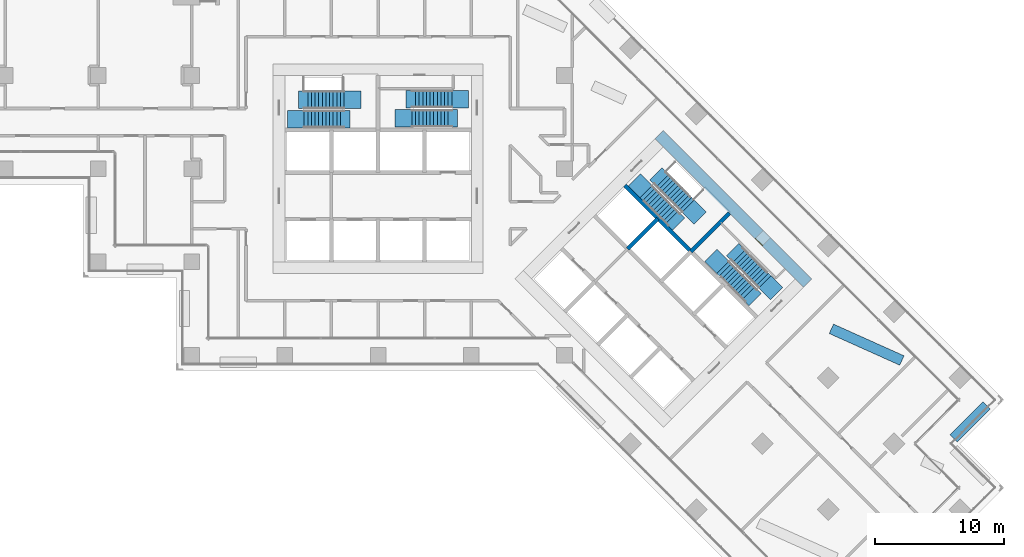
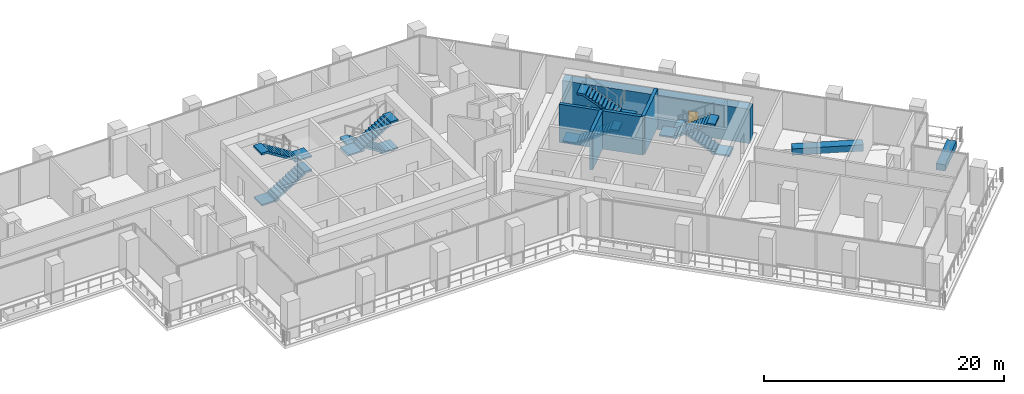
# One storey, part 15 of 24: 8 stair flights, 6 walls, 1 door, 1 opening, 4 elements without a shape of their own.
"""IFC4 building model written with IfcOpenShell, lengths in metres."""

import ifcopenshell
import ifcopenshell.guid

model = None  # the IFC model being written
_history = None  # IfcOwnerHistory: only IFC2X3 demands one
_inside = {}  # id of a spatial element -> (the spatial element, [elements in it])
_under = {}  # id of a project, library or spatial element -> (it, [spatial elements below it])
_declared = {}  # id of a project -> (the project, [libraries it declares])
_typed = {}  # id of a type object -> (the type object, [elements of that type])
_made_of = {}  # id of a material, layer set ... -> (it, [elements and type objects made of it])


def new_model(schema):
    """Start an empty IFC model of exactly this schema.

    Asked for "IFC4X3", IfcOpenShell would pick the latest addendum, in which some entities
    have other attributes; the version numbers below select the first issue.
    IFC2X3 requires an IfcOwnerHistory on every rooted entity: one is made here for all.
    """
    global model, _history
    if schema == "IFC4X3":
        model = ifcopenshell.file(schema_version=(4, 3, 0, 0))
    else:
        model = ifcopenshell.file(schema=schema)
    _inside.clear()
    _under.clear()
    _declared.clear()
    _typed.clear()
    _made_of.clear()
    _history = None
    if model.schema == "IFC2X3":
        org = make("IfcOrganization", Name="unknown")
        user = make(
            "IfcPersonAndOrganization",
            ThePerson=make("IfcPerson", FamilyName="unknown"),
            TheOrganization=org,
        )
        app = make(
            "IfcApplication",
            ApplicationDeveloper=org,
            Version="unknown",
            ApplicationFullName="unknown",
            ApplicationIdentifier="unknown",
        )
        _history = make(
            "IfcOwnerHistory",
            OwningUser=user,
            OwningApplication=app,
            ChangeAction="ADDED",
            CreationDate=0,
        )
    return model


def make(cls, **values):
    """One entity of the class cls with the attributes given. An attribute that is None is left unset."""
    return model.create_entity(
        cls, **{name: value for name, value in values.items() if value is not None}
    )


def rooted(cls, **values):
    """An entity with a GlobalId (a new one), such as an element, a storey or a relation."""
    return make(cls, GlobalId=ifcopenshell.guid.new(), OwnerHistory=_history, **values)


def si_unit(unit_type, name, prefix=None):
    """IfcSIUnit, for example si_unit("LENGTHUNIT", "METRE", prefix="MILLI")."""
    return make("IfcSIUnit", UnitType=unit_type, Prefix=prefix, Name=name)


def assignment(units):
    """IfcUnitAssignment: the units of a project."""
    return None if units is None else make("IfcUnitAssignment", Units=units)


def point(xyz):
    """IfcCartesianPoint."""
    return None if xyz is None else make("IfcCartesianPoint", Coordinates=xyz)


def direction(xyz):
    """IfcDirection."""
    return None if xyz is None else make("IfcDirection", DirectionRatios=xyz)


def frame(location, z_axis=None, x_axis=None):
    """IfcAxis2Placement3D, a coordinate frame: its origin and axes. An axis left out is left unset."""
    return make(
        "IfcAxis2Placement3D",
        Location=point(location),
        Axis=direction(z_axis),
        RefDirection=direction(x_axis),
    )


def frame_2d(location, x_axis=None):
    """IfcAxis2Placement2D, a coordinate frame in the plane: its origin and x axis."""
    return make(
        "IfcAxis2Placement2D", Location=point(location), RefDirection=direction(x_axis)
    )


def origin():
    """The frame at (0, 0, 0) with its axes left unset."""
    return frame((0.0, 0.0, 0.0))


def place(relative_to, where):
    """IfcLocalPlacement: puts the frame where relative to a parent placement (None: the world)."""
    return make(
        "IfcLocalPlacement", PlacementRelTo=relative_to, RelativePlacement=where
    )


def context(
    kind, dimensions, precision=None, world=None, true_north=None, identifier=None
):
    """IfcGeometricRepresentationContext, for example the 3D "Model" context."""
    return make(
        "IfcGeometricRepresentationContext",
        ContextIdentifier=identifier,
        ContextType=kind,
        CoordinateSpaceDimension=dimensions,
        Precision=precision,
        WorldCoordinateSystem=world,
        TrueNorth=true_north,
    )


def subcontext(parent, identifier, kind, view, scale=None):
    """IfcGeometricRepresentationSubContext, for example "Body" below "Model"."""
    return make(
        "IfcGeometricRepresentationSubContext",
        ContextIdentifier=identifier,
        ContextType=kind,
        ParentContext=parent,
        TargetScale=scale,
        TargetView=view,
    )


def project(units=None, contexts=None):
    """IfcProject with its units and contexts."""
    return rooted(
        "IfcProject",
        Name="project",
        RepresentationContexts=contexts,
        UnitsInContext=assignment(units),
    )


def spatial(cls, under=None, at=None, **own):
    """A site, building, storey or space (cls), placed at a placement, below another one or the project."""
    s = rooted(cls, ObjectPlacement=at, **own)
    if under is not None:
        _under.setdefault(under.id(), (under, []))[1].append(s)
    return s


def polyline(points):
    """IfcPolyline through the points."""
    return make("IfcPolyline", Points=[point(p) for p in points])


def profile(cls, at=None, kind="AREA", **sizes):
    """A parametric profile (cls). Its sizes go by their IFC names, for example OverallWidth=200.0."""
    return make(cls, ProfileType=kind, Position=at, **sizes)


def rectangle(**sizes):
    """IfcRectangleProfileDef."""
    return profile("IfcRectangleProfileDef", **sizes)


def outline(outer, holes=None, kind="AREA"):
    """IfcArbitraryClosedProfileDef: a profile drawn as a closed curve; with holes, ...WithVoids."""
    if holes is None:
        return make("IfcArbitraryClosedProfileDef", ProfileType=kind, OuterCurve=outer)
    return make(
        "IfcArbitraryProfileDefWithVoids",
        ProfileType=kind,
        OuterCurve=outer,
        InnerCurves=holes,
    )


def extrude(swept, where, along, depth):
    """IfcExtrudedAreaSolid: the profile swept, set in the frame where, extruded along a direction by depth."""
    return make(
        "IfcExtrudedAreaSolid",
        SweptArea=swept,
        Position=where,
        ExtrudedDirection=direction(along),
        Depth=depth,
    )


def shape(context_of_items, identifier, shape_type, items):
    """IfcShapeRepresentation: the items that make up one representation, for example the "Body"."""
    return make(
        "IfcShapeRepresentation",
        ContextOfItems=context_of_items,
        RepresentationIdentifier=identifier,
        RepresentationType=shape_type,
        Items=items,
    )


def material(Name=None, Category=None):
    """IfcMaterial."""
    return make("IfcMaterial", Name=Name, Category=Category)


def layer(
    of_material, thickness, ventilated=None, Name=None, Category=None, Priority=None
):
    """IfcMaterialLayer: one layer of a wall or slab, of a material (None: an air gap)."""
    return make(
        "IfcMaterialLayer",
        Material=of_material,
        LayerThickness=thickness,
        IsVentilated=ventilated,
        Name=Name,
        Category=Category,
        Priority=Priority,
    )


def layer_set(layers, Name=None):
    """IfcMaterialLayerSet."""
    return make("IfcMaterialLayerSet", MaterialLayers=layers, LayerSetName=Name)


def made_of(thing, what):
    """Note that an element or type object is made of a material, layer set ...; save() writes the relation."""
    if what is not None:
        _made_of.setdefault(what.id(), (what, []))[1].append(thing)
    return thing


def type_object(cls, material=None, **own):
    """A type object (cls), such as IfcWallType, which elements share."""
    return made_of(rooted(cls, **own), material)


def element(
    cls,
    number,
    at=None,
    inside=None,
    cuts=None,
    type_object=None,
    material=None,
    context=None,
    identifier="Body",
    shape_type=None,
    held_by="IfcProductDefinitionShape",
    body=None,
    shapes=None,
    **own,
):
    """One element of the class cls, such as IfcWall. Its Tag is "e" and its number.

    at: its placement. inside: the storey or other place that contains it. cuts: it is an
    opening in that element (IfcRelVoidsElement). A single representation is given by context,
    identifier, shape_type and body (its items); several are given by shapes. held_by: the class
    of the entity that holds the representations. save() writes the other relations.
    """
    e = rooted(cls, Tag="e%d" % number, ObjectPlacement=at, **own)
    if body is not None:
        shapes = [shape(context, identifier, shape_type, body)]
    if shapes is not None:
        e.Representation = make(held_by, Representations=shapes)
    if inside is not None:
        _inside.setdefault(inside.id(), (inside, []))[1].append(e)
    if cuts is not None:
        rooted(
            "IfcRelVoidsElement", RelatingBuildingElement=cuts, RelatedOpeningElement=e
        )
    if type_object is not None:
        _typed.setdefault(type_object.id(), (type_object, []))[1].append(e)
    return made_of(e, material)


def fill(opening, filler):
    """IfcRelFillsElement: the door or window that sits in an opening."""
    return rooted(
        "IfcRelFillsElement",
        RelatingOpeningElement=opening,
        RelatedBuildingElement=filler,
    )


def aggregate(whole, parts):
    """IfcRelAggregates: a whole, such as a stair, and the parts it consists of."""
    return rooted("IfcRelAggregates", RelatingObject=whole, RelatedObjects=parts)


def save(model, path):
    """Write the relations noted so far, then the file.

    IfcRelAggregates (storeys below a building ...), IfcRelContainedInSpatialStructure (elements
    in a storey), IfcRelDefinesByType, IfcRelAssociatesMaterial and IfcRelDeclares: one each for
    every whole, place, type object, material and project.
    """
    for whole, parts in _under.values():
        aggregate(whole, parts)
    for where, things in _inside.values():
        rooted(
            "IfcRelContainedInSpatialStructure",
            RelatedElements=things,
            RelatingStructure=where,
        )
    for kind, things in _typed.values():
        rooted("IfcRelDefinesByType", RelatedObjects=things, RelatingType=kind)
    for what, things in _made_of.values():
        rooted("IfcRelAssociatesMaterial", RelatedObjects=things, RelatingMaterial=what)
    for by, libraries in _declared.values():
        rooted("IfcRelDeclares", RelatingContext=by, RelatedDefinitions=libraries)
    model.write(path)


model = new_model("IFC4")

# Units and contexts
model_context = context("Model", 3, precision=1e-05, world=origin(), true_north=direction((0.0, 1.0)))
body_context = subcontext(model_context, "Body", "Model", "MODEL_VIEW")
ifc_project = project(units=[si_unit("LENGTHUNIT", "METRE"), si_unit("AREAUNIT", "SQUARE_METRE"), si_unit("VOLUMEUNIT", "CUBIC_METRE"), si_unit("PLANEANGLEUNIT", "RADIAN"), si_unit("MASSUNIT", "GRAM", prefix="KILO")], contexts=[model_context])

# Site, building, storey
site_placement = place(None, origin())
site = spatial("IfcSite", under=ifc_project, at=site_placement, CompositionType="ELEMENT")
building_placement = place(site_placement, origin())
building = spatial("IfcBuilding", under=site, at=building_placement, Name="Windrow Commons", CompositionType="ELEMENT")
storey_placement = place(building_placement, frame((0.0, 0.0, 77.0)))
storey = spatial("IfcBuildingStorey", under=building, at=storey_placement, Name="L20", CompositionType="ELEMENT", Elevation=77.0)

# Walls
ifc_material_1 = material(Name="Concrete C30/37 planter wall", Category="concrete")
ifc_layer_1 = layer(ifc_material_1, 0.8)
ifc_layer_set_1 = layer_set([ifc_layer_1], Name="Planter 800x600")
wall_type_1 = type_object("IfcWallType", Name="Planter 800x600", PredefinedType="SOLIDWALL", material=ifc_layer_set_1)
wall_1_placement = place(storey_placement, frame((109.2521, 36.7861, 0.0), z_axis=(0.0, 0.0, 1.0), x_axis=(0.7071067812, 0.7071067812, 0.0)))
element("IfcWall", 1, at=wall_1_placement, inside=storey, type_object=wall_type_1, Name="PLANTER TR-L20-1.3", PredefinedType="SOLIDWALL", context=body_context, shape_type="SweptSolid", body=[
    extrude(rectangle(XDim=3.5999, YDim=0.8, at=frame_2d((1.7999, 0.0))), origin(), (0.0, 0.0, 1.0), 0.65),
])
wall_2_placement = place(storey_placement, frame((105.2553, 42.7895, 0.0), z_axis=(0.0, 0.0, 1.0), x_axis=(-0.9122959724, 0.4095315113, 0.0)))
element("IfcWall", 2, at=wall_2_placement, inside=storey, type_object=wall_type_1, Name="PLANTER TR-L20-1 bed 6", PredefinedType="SOLIDWALL", context=body_context, shape_type="SweptSolid", body=[
    extrude(rectangle(XDim=5.97, YDim=0.8, at=frame_2d((2.985, 0.0))), origin(), (0.0, 0.0, 1.0), 0.65),
])

# Wall, opening, door
ifc_material_2 = material(Name="Concrete C60/75", Category="concrete")
ifc_layer_2 = layer(ifc_material_2, 0.9)
ifc_layer_set_2 = layer_set([ifc_layer_2], Name="RC CORE WALL 900 C60/75")
wall_type_2 = type_object("IfcWallType", Name="RC CORE WALL 900 C60/75", PredefinedType="SHEAR", material=ifc_layer_set_2)
wall_3_placement = place(storey_placement, frame((86.5186, 60.2267, -0.3), z_axis=(0.0, 0.0, 1.0), x_axis=(0.7071036948, -0.7071098676, 0.0)))
wall_3 = element("IfcWall", 3, at=wall_3_placement, inside=storey, type_object=wall_type_2, Name="Core B wall outer-N", PredefinedType="SHEAR", context=body_context, shape_type="SweptSolid", body=[
    extrude(rectangle(XDim=16.2, YDim=0.9, at=frame_2d((8.1, 0.0))), origin(), (0.0, 0.0, 1.0), 3.5),
])
opening_placement = place(wall_3_placement, frame((10.9, 0.0, 0.3)))
opening = element("IfcOpeningElement", 4, at=opening_placement, cuts=wall_3, Name="Opening D9", PredefinedType="OPENING", context=body_context, shape_type="SweptSolid", body=[
    extrude(rectangle(XDim=0.8, YDim=2.1, at=frame_2d((0.4, 1.05))), frame((0.0, 0.46, 0.0), z_axis=(0.0, -1.0, 0.0), x_axis=(1.0, 0.0, 0.0)), (0.0, 0.0, 1.0), 0.92),
])
ifc_material_3 = material(Name="Steel fire door leaf", Category="steel")
door_type = type_object("IfcDoorType", Name="Riser access door 800", OperationType="SINGLE_SWING_LEFT", PredefinedType="DOOR", material=ifc_material_3)
door_placement = place(opening_placement, origin())
door = element("IfcDoor", 5, at=door_placement, inside=storey, type_object=door_type, Name="Riser access door", OperationType="SINGLE_SWING_RIGHT", OverallHeight=2.1, OverallWidth=0.8, PredefinedType="DOOR", context=body_context, shape_type="SweptSolid", body=[
    extrude(rectangle(XDim=0.8, YDim=2.1, at=frame_2d((0.4, 1.05))), frame((0.0, -0.39, 0.0), z_axis=(0.0, -1.0, 0.0), x_axis=(1.0, 0.0, 0.0)), (0.0, 0.0, 1.0), 0.05),
])
fill(opening, door)

# Walls
ifc_material_4 = material(Name="Concrete C60/75", Category="concrete")
ifc_layer_3 = layer(ifc_material_4, 0.3)
ifc_layer_set_3 = layer_set([ifc_layer_3], Name="RC SHAFT WALL 300 C60/75")
wall_type_3 = type_object("IfcWallType", Name="RC SHAFT WALL 300 C60/75", PredefinedType="SOLIDWALL", material=ifc_layer_set_3)
wall_4_placement = place(storey_placement, frame((84.079, 51.4232, 0.0), z_axis=(0.0, 0.0, 1.0), x_axis=(0.7071219326, 0.7070916295, 0.0)))
element("IfcWall", 6, at=wall_4_placement, inside=storey, type_object=wall_type_3, Name="Core B wall shaft-N1", PredefinedType="SOLIDWALL", context=body_context, shape_type="SweptSolid", body=[
    extrude(rectangle(XDim=3.3, YDim=0.3, at=frame_2d((1.65, 0.0))), origin(), (0.0, 0.0, 1.0), 3.9),
])
wall_5_placement = place(storey_placement, frame((83.8669, 56.3022, 0.0), z_axis=(0.0, 0.0, 1.0), x_axis=(0.7071137256, -0.7070998367, 0.0)))
element("IfcWall", 7, at=wall_5_placement, inside=storey, type_object=wall_type_3, Name="Core B wall stair-S", PredefinedType="SOLIDWALL", context=body_context, shape_type="SweptSolid", body=[
    extrude(rectangle(XDim=7.2, YDim=0.3, at=frame_2d((3.6, 0.0))), origin(), (0.0, 0.0, 1.0), 3.9),
])
wall_6_placement = place(storey_placement, frame((88.9581, 51.2111, 0.0), z_axis=(0.0, 0.0, 1.0), x_axis=(0.7071067812, 0.7071067812, 0.0)))
element("IfcWall", 8, at=wall_6_placement, inside=storey, type_object=wall_type_3, Name="Core B wall stair-mid", PredefinedType="SOLIDWALL", context=body_context, shape_type="SweptSolid", body=[
    extrude(rectangle(XDim=4.1999, YDim=0.3, at=frame_2d((2.1, 0.0))), origin(), (0.0, 0.0, 1.0), 3.9),
])

# Stair, stair flights
ifc_material_5 = material(Name="Concrete C40/50", Category="concrete")
stair_type = type_object("IfcStairType", Name="Core stair", PredefinedType="HALF_TURN_STAIR", material=ifc_material_5)
placement = place(storey_placement, origin())
stair_1 = element("IfcStair", 9, at=placement, inside=storey, type_object=stair_type, Name="L20 Exit stair A1 core A", PredefinedType="HALF_TURN_STAIR")
ifc_material_6 = material(Name="Concrete C40/50", Category="concrete")
stair_flight_type = type_object("IfcStairFlightType", Name="Core stair flight", PredefinedType="STRAIGHT", material=ifc_material_6)
stair_flight_1_placement = place(storey_placement, frame((59.1, 61.425, 0.0), z_axis=(0.0, 0.0, 1.0), x_axis=(1.0, 0.0, 0.0)))
stair_flight_1 = element("IfcStairFlight", 10, at=stair_flight_1_placement, type_object=stair_flight_type, Name="ST-A1 flight 1", NumberOfRisers=12, NumberOfTreads=11, PredefinedType="STRAIGHT", RiserHeight=0.175, TreadLength=0.28, context=body_context, shape_type="SweptSolid", body=[
    extrude(outline(polyline([(-1.3, -0.15), (-1.3, 0.0), (0.0, 0.0), (0.0, 0.175), (0.28, 0.175), (0.28, 0.35), (0.56, 0.35), (0.56, 0.525), (0.84, 0.525), (0.84, 0.7), (1.12, 0.7), (1.12, 0.875), (1.4, 0.875), (1.4, 1.05), (1.68, 1.05), (1.68, 1.225), (1.96, 1.225), (1.96, 1.4), (2.24, 1.4), (2.24, 1.575), (2.52, 1.575), (2.52, 1.75), (2.8, 1.75), (2.8, 1.925), (3.08, 1.925), (3.53, 1.925), (3.53, 1.725), (3.08, 1.725), (3.08, 1.7481), (0.283, 0.0), (0.283, -0.15), (-1.3, -0.15)])), frame((0.0, 0.675, 0.0), z_axis=(0.0, -1.0, 0.0), x_axis=(1.0, 0.0, 0.0)), (0.0, 0.0, 1.0), 1.35),
])
stair_flight_2_placement = place(storey_placement, frame((62.18, 62.925, 2.1), z_axis=(0.0, 0.0, 1.0), x_axis=(-1.0, 0.0, 0.0)))
stair_flight_2 = element("IfcStairFlight", 11, at=stair_flight_2_placement, type_object=stair_flight_type, Name="ST-A1 flight 2", NumberOfRisers=12, NumberOfTreads=11, PredefinedType="STRAIGHT", RiserHeight=0.175, TreadLength=0.28, context=body_context, shape_type="SweptSolid", body=[
    extrude(outline(polyline([(-1.3, -0.15), (-1.3, 0.0), (0.0, 0.0), (0.0, 0.175), (0.28, 0.175), (0.28, 0.35), (0.56, 0.35), (0.56, 0.525), (0.84, 0.525), (0.84, 0.7), (1.12, 0.7), (1.12, 0.875), (1.4, 0.875), (1.4, 1.05), (1.68, 1.05), (1.68, 1.225), (1.96, 1.225), (1.96, 1.4), (2.24, 1.4), (2.24, 1.575), (2.52, 1.575), (2.52, 1.75), (2.8, 1.75), (2.8, 1.925), (3.08, 1.925), (3.53, 1.925), (3.53, 1.725), (3.08, 1.725), (3.08, 1.7481), (0.283, 0.0), (0.283, -0.15), (-1.3, -0.15)])), frame((0.0, 0.675, 0.0), z_axis=(0.0, -1.0, 0.0), x_axis=(1.0, 0.0, 0.0)), (0.0, 0.0, 1.0), 1.35),
])
aggregate(stair_1, [stair_flight_1, stair_flight_2])

stair_2 = element("IfcStair", 12, at=placement, inside=storey, type_object=stair_type, Name="L20 Exit stair A2 core A", PredefinedType="HALF_TURN_STAIR")
stair_flight_3_placement = place(storey_placement, frame((70.5, 62.98, 0.0), z_axis=(0.0, 0.0, 1.0), x_axis=(-1.0, 0.0, 0.0)))
stair_flight_3 = element("IfcStairFlight", 13, at=stair_flight_3_placement, type_object=stair_flight_type, Name="ST-A2 flight 1", NumberOfRisers=12, NumberOfTreads=11, PredefinedType="STRAIGHT", RiserHeight=0.175, TreadLength=0.28, context=body_context, shape_type="SweptSolid", body=[
    extrude(outline(polyline([(-1.3, -0.15), (-1.3, 0.0), (0.0, 0.0), (0.0, 0.175), (0.28, 0.175), (0.28, 0.35), (0.56, 0.35), (0.56, 0.525), (0.84, 0.525), (0.84, 0.7), (1.12, 0.7), (1.12, 0.875), (1.4, 0.875), (1.4, 1.05), (1.68, 1.05), (1.68, 1.225), (1.96, 1.225), (1.96, 1.4), (2.24, 1.4), (2.24, 1.575), (2.52, 1.575), (2.52, 1.75), (2.8, 1.75), (2.8, 1.925), (3.08, 1.925), (3.53, 1.925), (3.53, 1.725), (3.08, 1.725), (3.08, 1.7481), (0.283, 0.0), (0.283, -0.15), (-1.3, -0.15)])), frame((0.0, 0.675, 0.0), z_axis=(0.0, -1.0, 0.0), x_axis=(1.0, 0.0, 0.0)), (0.0, 0.0, 1.0), 1.35),
])
stair_flight_4_placement = place(storey_placement, frame((67.42, 61.48, 2.1), z_axis=(0.0, 0.0, 1.0), x_axis=(1.0, 0.0, 0.0)))
stair_flight_4 = element("IfcStairFlight", 14, at=stair_flight_4_placement, type_object=stair_flight_type, Name="ST-A2 flight 2", NumberOfRisers=12, NumberOfTreads=11, PredefinedType="STRAIGHT", RiserHeight=0.175, TreadLength=0.28, context=body_context, shape_type="SweptSolid", body=[
    extrude(outline(polyline([(-1.3, -0.15), (-1.3, 0.0), (0.0, 0.0), (0.0, 0.175), (0.28, 0.175), (0.28, 0.35), (0.56, 0.35), (0.56, 0.525), (0.84, 0.525), (0.84, 0.7), (1.12, 0.7), (1.12, 0.875), (1.4, 0.875), (1.4, 1.05), (1.68, 1.05), (1.68, 1.225), (1.96, 1.225), (1.96, 1.4), (2.24, 1.4), (2.24, 1.575), (2.52, 1.575), (2.52, 1.75), (2.8, 1.75), (2.8, 1.925), (3.08, 1.925), (3.53, 1.925), (3.53, 1.725), (3.08, 1.725), (3.08, 1.7481), (0.283, 0.0), (0.283, -0.15), (-1.3, -0.15)])), frame((0.0, 0.675, 0.0), z_axis=(0.0, -1.0, 0.0), x_axis=(1.0, 0.0, 0.0)), (0.0, 0.0, 1.0), 1.35),
])
aggregate(stair_2, [stair_flight_3, stair_flight_4])

stair_3 = element("IfcStair", 15, at=placement, inside=storey, type_object=stair_type, Name="L20 Exit stair B1 core B", PredefinedType="HALF_TURN_STAIR")
stair_flight_5_placement = place(storey_placement, frame((85.5109, 55.8249, 0.0), z_axis=(0.0, 0.0, 1.0), x_axis=(0.7071067812, -0.7071067812, 0.0)))
stair_flight_5 = element("IfcStairFlight", 16, at=stair_flight_5_placement, type_object=stair_flight_type, Name="ST-B1 flight 1", NumberOfRisers=12, NumberOfTreads=11, PredefinedType="STRAIGHT", RiserHeight=0.175, TreadLength=0.28, context=body_context, shape_type="SweptSolid", body=[
    extrude(outline(polyline([(-1.3, -0.15), (-1.3, 0.0), (0.0, 0.0), (0.0, 0.175), (0.28, 0.175), (0.28, 0.35), (0.56, 0.35), (0.56, 0.525), (0.84, 0.525), (0.84, 0.7), (1.12, 0.7), (1.12, 0.875), (1.4, 0.875), (1.4, 1.05), (1.68, 1.05), (1.68, 1.225), (1.96, 1.225), (1.96, 1.4), (2.24, 1.4), (2.24, 1.575), (2.52, 1.575), (2.52, 1.75), (2.8, 1.75), (2.8, 1.925), (3.08, 1.925), (3.53, 1.925), (3.53, 1.725), (3.08, 1.725), (3.08, 1.7481), (0.283, 0.0), (0.283, -0.15), (-1.3, -0.15)])), frame((0.0, 0.675, 0.0), z_axis=(0.0, -1.0, 0.0), x_axis=(1.0, 0.0, 0.0)), (0.0, 0.0, 1.0), 1.35),
])
stair_flight_6_placement = place(storey_placement, frame((88.7495, 54.7077, 2.1), z_axis=(0.0, 0.0, 1.0), x_axis=(-0.7071067812, 0.7071067812, 0.0)))
stair_flight_6 = element("IfcStairFlight", 17, at=stair_flight_6_placement, type_object=stair_flight_type, Name="ST-B1 flight 2", NumberOfRisers=12, NumberOfTreads=11, PredefinedType="STRAIGHT", RiserHeight=0.175, TreadLength=0.28, context=body_context, shape_type="SweptSolid", body=[
    extrude(outline(polyline([(-1.3, -0.15), (-1.3, 0.0), (0.0, 0.0), (0.0, 0.175), (0.28, 0.175), (0.28, 0.35), (0.56, 0.35), (0.56, 0.525), (0.84, 0.525), (0.84, 0.7), (1.12, 0.7), (1.12, 0.875), (1.4, 0.875), (1.4, 1.05), (1.68, 1.05), (1.68, 1.225), (1.96, 1.225), (1.96, 1.4), (2.24, 1.4), (2.24, 1.575), (2.52, 1.575), (2.52, 1.75), (2.8, 1.75), (2.8, 1.925), (3.08, 1.925), (3.53, 1.925), (3.53, 1.725), (3.08, 1.725), (3.08, 1.7481), (0.283, 0.0), (0.283, -0.15), (-1.3, -0.15)])), frame((0.0, 0.675, 0.0), z_axis=(0.0, -1.0, 0.0), x_axis=(1.0, 0.0, 0.0)), (0.0, 0.0, 1.0), 1.35),
])
aggregate(stair_3, [stair_flight_5, stair_flight_6])

stair_4 = element("IfcStair", 18, at=placement, inside=storey, type_object=stair_type, Name="L20 Exit stair B2 core B", PredefinedType="HALF_TURN_STAIR")
stair_flight_7_placement = place(storey_placement, frame((94.6715, 48.8635, 0.0), z_axis=(0.0, 0.0, 1.0), x_axis=(-0.7071067812, 0.7071067812, 0.0)))
stair_flight_7 = element("IfcStairFlight", 19, at=stair_flight_7_placement, type_object=stair_flight_type, Name="ST-B2 flight 1", NumberOfRisers=12, NumberOfTreads=11, PredefinedType="STRAIGHT", RiserHeight=0.175, TreadLength=0.28, context=body_context, shape_type="SweptSolid", body=[
    extrude(outline(polyline([(-1.3, -0.15), (-1.3, 0.0), (0.0, 0.0), (0.0, 0.175), (0.28, 0.175), (0.28, 0.35), (0.56, 0.35), (0.56, 0.525), (0.84, 0.525), (0.84, 0.7), (1.12, 0.7), (1.12, 0.875), (1.4, 0.875), (1.4, 1.05), (1.68, 1.05), (1.68, 1.225), (1.96, 1.225), (1.96, 1.4), (2.24, 1.4), (2.24, 1.575), (2.52, 1.575), (2.52, 1.75), (2.8, 1.75), (2.8, 1.925), (3.08, 1.925), (3.53, 1.925), (3.53, 1.725), (3.08, 1.725), (3.08, 1.7481), (0.283, 0.0), (0.283, -0.15), (-1.3, -0.15)])), frame((0.0, 0.675, 0.0), z_axis=(0.0, -1.0, 0.0), x_axis=(1.0, 0.0, 0.0)), (0.0, 0.0, 1.0), 1.35),
])
stair_flight_8_placement = place(storey_placement, frame((91.4329, 49.9807, 2.1), z_axis=(0.0, 0.0, 1.0), x_axis=(0.7071067812, -0.7071067812, 0.0)))
stair_flight_8 = element("IfcStairFlight", 20, at=stair_flight_8_placement, type_object=stair_flight_type, Name="ST-B2 flight 2", NumberOfRisers=12, NumberOfTreads=11, PredefinedType="STRAIGHT", RiserHeight=0.175, TreadLength=0.28, context=body_context, shape_type="SweptSolid", body=[
    extrude(outline(polyline([(-1.3, -0.15), (-1.3, 0.0), (0.0, 0.0), (0.0, 0.175), (0.28, 0.175), (0.28, 0.35), (0.56, 0.35), (0.56, 0.525), (0.84, 0.525), (0.84, 0.7), (1.12, 0.7), (1.12, 0.875), (1.4, 0.875), (1.4, 1.05), (1.68, 1.05), (1.68, 1.225), (1.96, 1.225), (1.96, 1.4), (2.24, 1.4), (2.24, 1.575), (2.52, 1.575), (2.52, 1.75), (2.8, 1.75), (2.8, 1.925), (3.08, 1.925), (3.53, 1.925), (3.53, 1.725), (3.08, 1.725), (3.08, 1.7481), (0.283, 0.0), (0.283, -0.15), (-1.3, -0.15)])), frame((0.0, 0.675, 0.0), z_axis=(0.0, -1.0, 0.0), x_axis=(1.0, 0.0, 0.0)), (0.0, 0.0, 1.0), 1.35),
])
aggregate(stair_4, [stair_flight_7, stair_flight_8])

save(model, "model.ifc")
